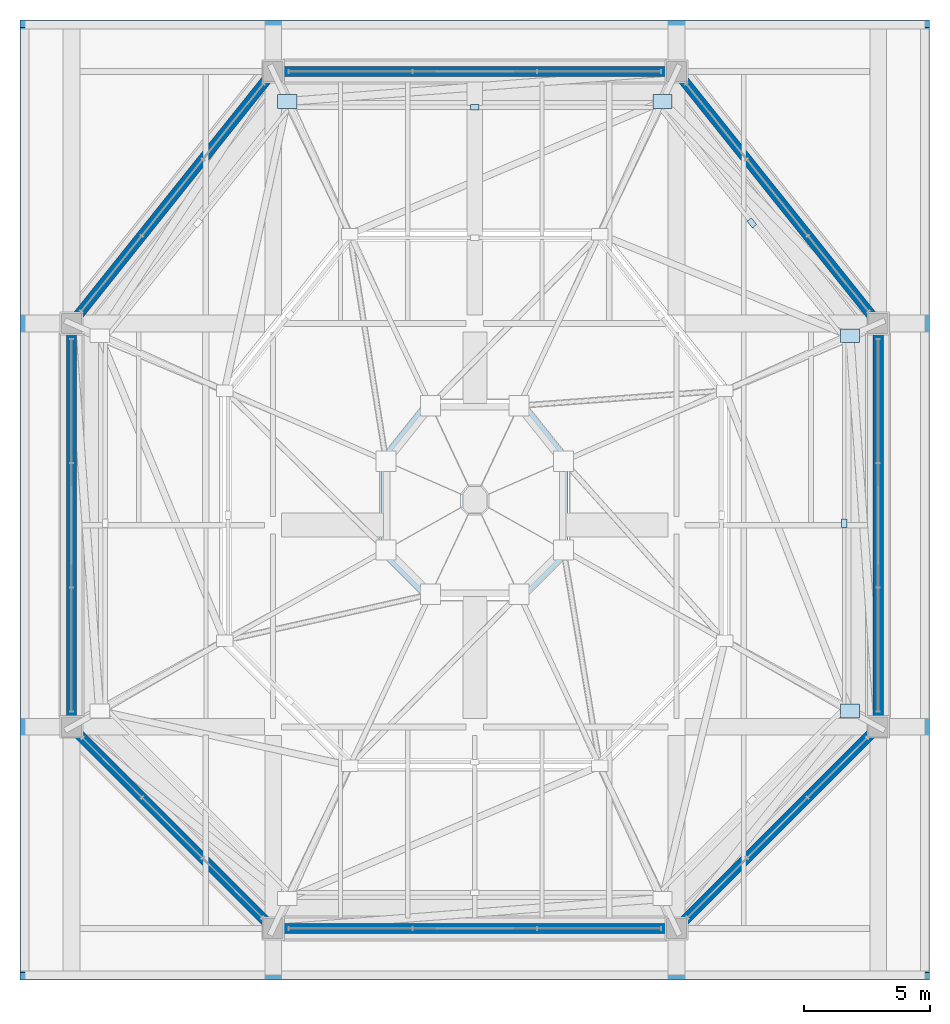
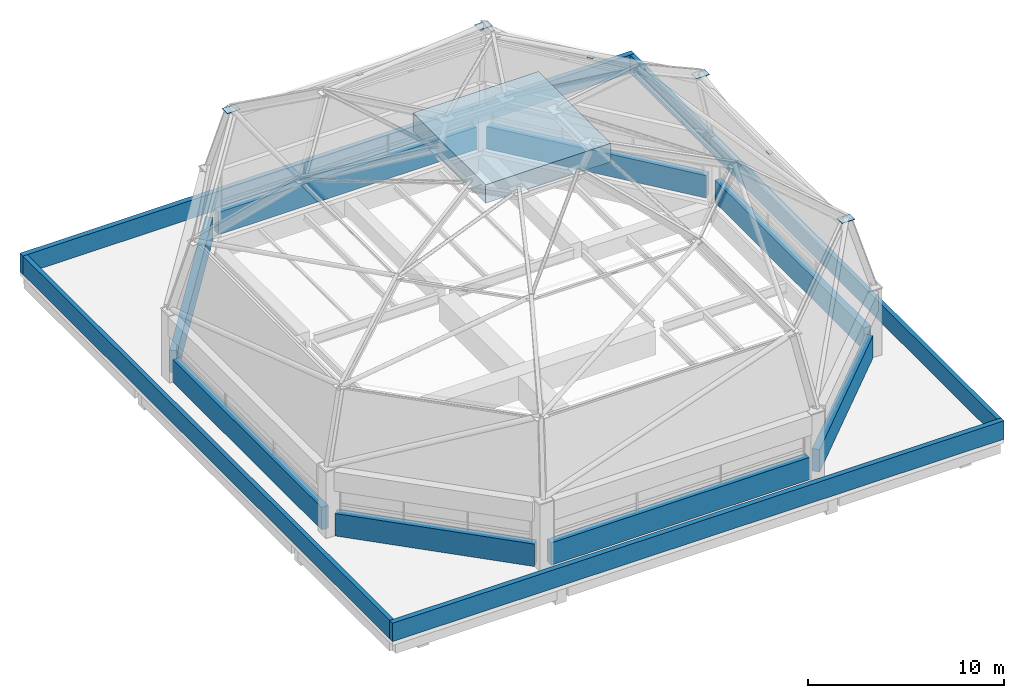
# One storey, part 10 of 10: 12 walls, 7 plates, 1 roof.
"""IFC4 building model written with IfcOpenShell, lengths in metres."""

from ifc_helpers import new_model, si_unit, direction, frame, frame_2d, origin, origin_2d, place, context, subcontext, project, spatial, rectangle, extrude, material, layer, layer_set, type_object, element, save


model = new_model("IFC4")

# Units and contexts
model_context = context("Model", 3, precision=1e-05, world=origin(), true_north=direction((0.0, 1.0)))
body_context = subcontext(model_context, "Body", "Model", "MODEL_VIEW")
ifc_project = project(units=[si_unit("LENGTHUNIT", "METRE"), si_unit("AREAUNIT", "SQUARE_METRE"), si_unit("VOLUMEUNIT", "CUBIC_METRE"), si_unit("PLANEANGLEUNIT", "RADIAN"), si_unit("MASSUNIT", "GRAM", prefix="KILO")], contexts=[model_context])

# Site, building, storey
site_placement = place(None, origin())
site = spatial("IfcSite", under=ifc_project, at=site_placement, CompositionType="ELEMENT")
building_placement = place(site_placement, origin())
building = spatial("IfcBuilding", under=site, at=building_placement, Name="Pecanmere Concourse Central Library", CompositionType="ELEMENT")
storey_placement = place(building_placement, frame((0.0, 0.0, 34.800048828125)))
storey = spatial("IfcBuildingStorey", under=building, at=storey_placement, Name="ROOF", CompositionType="ELEMENT", Elevation=34.800048828125)

# Plates
ifc_material_1 = material(Name="Structural steel ASTM A572 Grade 50", Category="steel")
ifc_layer_1 = layer(ifc_material_1, 0.028076171875, Name="PLT_DOME_NODE_2")
ifc_layer_set_1 = layer_set([ifc_layer_1], Name="Structural steel ASTM A572 Grade 50")
plate_type_1 = type_object("IfcPlateType", Name="PLT_DOME_NODE_2", PredefinedType="SHEET", material=ifc_layer_set_1)
for number, where, z_axis, x_axis, name in (
    (1, (102.8798828125, 98.6298828125, 8.3720703125), (0.0, 0.0, 1.0), (1.0, 0.0, 0.0), "Dome Rib Node Connection Plate 3.1"),
    (2, (102.8798828125, 113.510009765625, 8.3720703125), (0.0, 0.0, 1.0), (1.0, 0.0, 0.0), "Dome Rib Node Connection Plate 4.1"),
    (3, (95.43994140625, 122.81005859375, 8.3720703125), (0.0, 0.0, 1.0), (1.0, 0.0, 0.0), "Dome Rib Node Connection Plate 5.1"),
    (4, (80.56005859375, 122.81005859375, 8.3720703125), (0.0, 0.0, 1.0), (1.0, 0.0, 0.0), "Dome Rib Node Connection Plate 6.1"),
):
    element("IfcPlate", number, at=place(storey_placement, frame(where, z_axis=z_axis, x_axis=x_axis)), inside=storey, type_object=plate_type_1, Name=name, PredefinedType="SHEET", context=body_context, shape_type="SweptSolid", body=[
        extrude(rectangle(XDim=0.760009765625, YDim=0.5400390625, at=origin_2d()), origin(), (0.0, 0.0, 1.0), 0.028076171875),
    ])
ifc_material_2 = material(Name="Structural steel ASTM A572 Grade 50", Category="steel")
ifc_layer_2 = layer(ifc_material_2, 0.02001953125, Name="PLT_HSS_ENDCAP")
ifc_layer_set_2 = layer_set([ifc_layer_2], Name="Structural steel ASTM A572 Grade 50")
plate_type_2 = type_object("IfcPlateType", Name="PLT_HSS_ENDCAP", PredefinedType="SHEET", material=ifc_layer_set_2)
for number, where, z_axis, x_axis, name in (
    (5, (102.656005859375, 106.083984375, 8.08984375), (0.0, 0.0, 1.0), (0.0, 1.0, 0.0), "HSS Purlin Closure Cap Plate 1.3"),
    (6, (98.991943359375, 117.991943359375, 8.08984375), (0.0, 0.0, 1.0), (-0.624697660804, 0.780866718836, 0.0), "HSS Purlin Closure Cap Plate 1.4"),
    (7, (88.0, 122.572021484375, 8.08984375), (0.0, 0.0, 1.0), (-1.0, 0.0, 0.0), "HSS Purlin Closure Cap Plate 1.5"),
):
    element("IfcPlate", number, at=place(storey_placement, frame(where, z_axis=z_axis, x_axis=x_axis)), inside=storey, type_object=plate_type_2, Name=name, PredefinedType="SHEET", context=body_context, shape_type="SweptSolid", body=[
        extrude(rectangle(XDim=0.340087890625, YDim=0.219970703125, at=origin_2d()), origin(), (0.0, 0.0, 1.0), 0.02001953125),
    ])

# Walls
ifc_material_3 = material(Name="Texas cream limestone ashlar masonry", Category="masonry")
ifc_layer_3 = layer(ifc_material_3, 0.409912109375, Name="EW_DRUM_410")
ifc_layer_set_3 = layer_set([ifc_layer_3], Name="Texas cream limestone ashlar masonry")
wall_type_1 = type_object("IfcWallType", Name="EW_DRUM_410", PredefinedType="STANDARD", material=ifc_layer_set_3)
wall_1_placement = place(storey_placement, frame((80.3798828125, 90.0, 0.0), z_axis=(0.0, 0.0, 1.0), x_axis=(1.0, 0.0, 0.0)))
element("IfcWall", 8, at=wall_1_placement, inside=storey, type_object=wall_type_1, Name="Limestone Facade Wall ROOF-0225", PredefinedType="STANDARD", context=body_context, shape_type="SweptSolid", body=[
    extrude(rectangle(XDim=15.240234375, YDim=0.409912109375, at=frame_2d((7.6201171875, 0.0))), origin(), (0.0, 0.0, 1.0), 1.39990234375),
])
wall_2_placement = place(storey_placement, frame((96.268798828125, 90.268798828125, 0.0), z_axis=(0.0, 0.0, 1.0), x_axis=(0.707106781187, 0.707106781187, 0.0)))
element("IfcWall", 9, at=wall_2_placement, inside=storey, type_object=wall_type_1, Name="Limestone Facade Wall ROOF-0226", PredefinedType="STANDARD", context=body_context, shape_type="SweptSolid", body=[
    extrude(rectangle(XDim=10.553466796875, YDim=0.409912109375, at=frame_2d((5.27685546875, 0.0))), origin(), (0.0, 0.0, 1.0), 1.39990234375),
])
wall_3_placement = place(storey_placement, frame((104.0, 98.3798828125, 0.0), z_axis=(0.0, 0.0, 1.0), x_axis=(0.0, 1.0, 0.0)))
element("IfcWall", 10, at=wall_3_placement, inside=storey, type_object=wall_type_1, Name="Limestone Facade Wall ROOF-0227", PredefinedType="STANDARD", context=body_context, shape_type="SweptSolid", body=[
    extrude(rectangle(XDim=15.240234375, YDim=0.409912109375, at=frame_2d((7.6201171875, 0.0))), origin(), (0.0, 0.0, 1.0), 1.39990234375),
])
wall_4_placement = place(storey_placement, frame((103.7626953125, 114.296630859375, 0.0), z_axis=(0.0, 0.0, 1.0), x_axis=(-0.624695047554, 0.780868809443, 0.0)))
element("IfcWall", 11, at=wall_4_placement, inside=storey, type_object=wall_type_1, Name="Limestone Facade Wall ROOF-0228", PredefinedType="STANDARD", context=body_context, shape_type="SweptSolid", body=[
    extrude(rectangle(XDim=12.04638671875, YDim=0.409912109375, at=frame_2d((6.023193359375, 0.0))), origin(), (0.0, 0.0, 1.0), 1.39990234375),
])
wall_5_placement = place(storey_placement, frame((95.6201171875, 124.0, 0.0), z_axis=(0.0, 0.0, 1.0), x_axis=(-1.0, 0.0, 0.0)))
element("IfcWall", 12, at=wall_5_placement, inside=storey, type_object=wall_type_1, Name="Limestone Facade Wall ROOF-0229", PredefinedType="STANDARD", context=body_context, shape_type="SweptSolid", body=[
    extrude(rectangle(XDim=15.240234375, YDim=0.409912109375, at=frame_2d((7.6201171875, 0.0))), origin(), (0.0, 0.0, 1.0), 1.39990234375),
])
wall_6_placement = place(storey_placement, frame((79.7626953125, 123.703369140625, 0.0), z_axis=(0.0, 0.0, 1.0), x_axis=(-0.624695047554, -0.780868809443, 0.0)))
element("IfcWall", 13, at=wall_6_placement, inside=storey, type_object=wall_type_1, Name="Limestone Facade Wall ROOF-0230", PredefinedType="STANDARD", context=body_context, shape_type="SweptSolid", body=[
    extrude(rectangle(XDim=12.04638671875, YDim=0.409912109375, at=frame_2d((6.023193359375, 0.0))), origin(), (0.0, 0.0, 1.0), 1.39990234375),
])
wall_7_placement = place(storey_placement, frame((72.0, 113.6201171875, 0.0), z_axis=(0.0, 0.0, 1.0), x_axis=(0.0, -1.0, 0.0)))
element("IfcWall", 14, at=wall_7_placement, inside=storey, type_object=wall_type_1, Name="Limestone Facade Wall ROOF-0231", PredefinedType="STANDARD", context=body_context, shape_type="SweptSolid", body=[
    extrude(rectangle(XDim=15.240234375, YDim=0.409912109375, at=frame_2d((7.6201171875, 0.0))), origin(), (0.0, 0.0, 1.0), 1.39990234375),
])
wall_8_placement = place(storey_placement, frame((72.268798828125, 97.731201171875, 0.0), z_axis=(0.0, 0.0, 1.0), x_axis=(0.707106781187, -0.707106781187, 0.0)))
element("IfcWall", 15, at=wall_8_placement, inside=storey, type_object=wall_type_1, Name="Limestone Facade Wall ROOF-0232", PredefinedType="STANDARD", context=body_context, shape_type="SweptSolid", body=[
    extrude(rectangle(XDim=10.553466796875, YDim=0.409912109375, at=frame_2d((5.27685546875, 0.0))), origin(), (0.0, 0.0, 1.0), 1.39990234375),
])
ifc_material_4 = material(Name="Texas cream limestone ashlar masonry", Category="masonry")
ifc_layer_4 = layer(ifc_material_4, 0.25, Name="PW_PARA_250")
ifc_layer_set_4 = layer_set([ifc_layer_4], Name="Texas cream limestone ashlar masonry")
wall_type_2 = type_object("IfcWallType", Name="PW_PARA_250", PredefinedType="PARAPET", material=ifc_layer_set_4)
for number, where, z_axis, x_axis, name in (
    (16, (70.08349609375, 88.258544921875, 0.0), (0.0, 0.0, 1.0), (0.0, 1.0, 0.0), "Limestone Roof Parapet ROOF-03"),
    (17, (105.91650390625, 88.258544921875, 0.0), (0.0, 0.0, 1.0), (0.0, 1.0, 0.0), "Limestone Roof Parapet ROOF-04"),
):
    element("IfcWall", number, at=place(storey_placement, frame(where, z_axis=z_axis, x_axis=x_axis)), inside=storey, type_object=wall_type_2, Name=name, PredefinedType="PARAPET", context=body_context, shape_type="SweptSolid", body=[
        extrude(rectangle(XDim=37.48291015625, YDim=0.25, at=frame_2d((18.741455078125, 0.0))), origin(), (0.0, 0.0, 1.0), 1.14990234375),
    ])
ifc_material_5 = material(Name="Texas cream limestone ashlar masonry", Category="masonry")
ifc_layer_5 = layer(ifc_material_5, 0.300048828125, Name="PW_PARA_300")
ifc_layer_set_5 = layer_set([ifc_layer_5], Name="Texas cream limestone ashlar masonry")
wall_type_3 = type_object("IfcWallType", Name="PW_PARA_300", PredefinedType="PARAPET", material=ifc_layer_set_5)
for number, where, z_axis, x_axis, name in (
    (18, (69.95849609375, 125.8916015625, 0.0), (0.0, 0.0, 1.0), (1.0, 0.0, 0.0), "Limestone Roof Parapet ROOF-01"),
    (19, (69.95849609375, 88.1083984375, 0.0), (0.0, 0.0, 1.0), (1.0, 0.0, 0.0), "Limestone Roof Parapet ROOF-02"),
):
    element("IfcWall", number, at=place(storey_placement, frame(where, z_axis=z_axis, x_axis=x_axis)), inside=storey, type_object=wall_type_3, Name=name, PredefinedType="PARAPET", context=body_context, shape_type="SweptSolid", body=[
        extrude(rectangle(XDim=36.0830078125, YDim=0.300048828125, at=frame_2d((18.04150390625, 0.0))), origin(), (0.0, 0.0, 1.0), 1.14990234375),
    ])

# Roof
ifc_material_6 = material(Name="Architectural standing-seam copper")
roof_type = type_object("IfcRoofType", Name="ROOF_DOME_ASM", PredefinedType="DOME_ROOF", material=ifc_material_6)
roof_placement = place(storey_placement, frame((88.0, 107.0, 13.02001953125), z_axis=(0.0, 0.0, 1.0), x_axis=(1.0, 0.0, 0.0)))
element("IfcRoof", 20, at=roof_placement, inside=storey, type_object=roof_type, Name="Main Reading Room Ribbed Dome", PredefinedType="DOME_ROOF", context=body_context, shape_type="SweptSolid", body=[
    extrude(rectangle(XDim=7.39990234375, YDim=7.39990234375, at=origin_2d()), origin(), (0.0, 0.0, 1.0), 1.159912109375),
])

save(model, "model.ifc")
